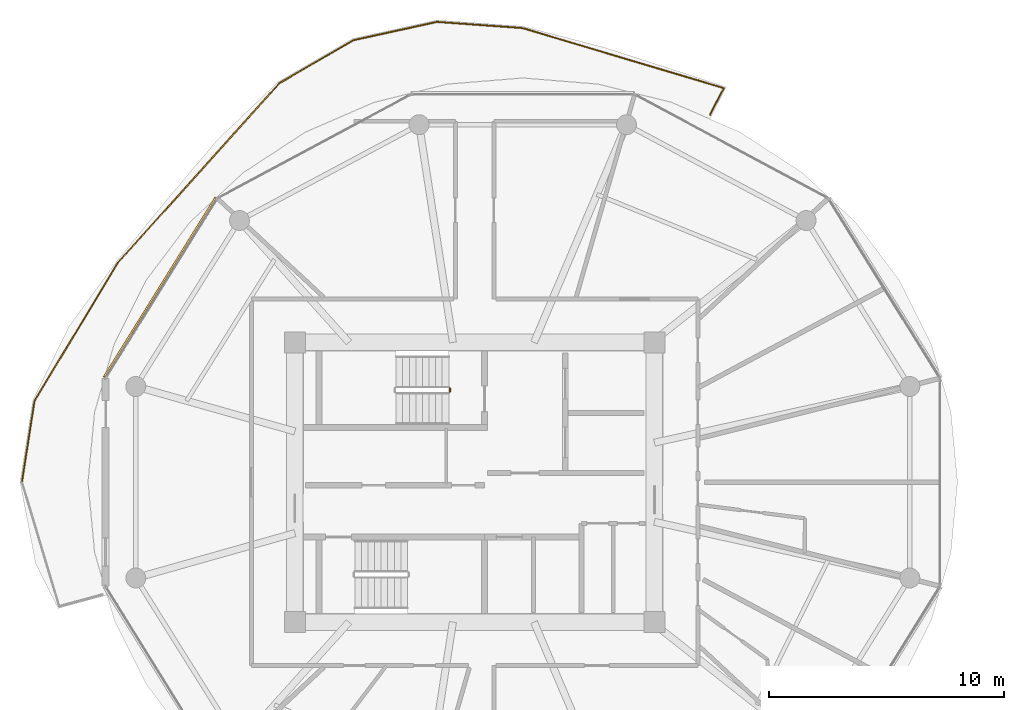
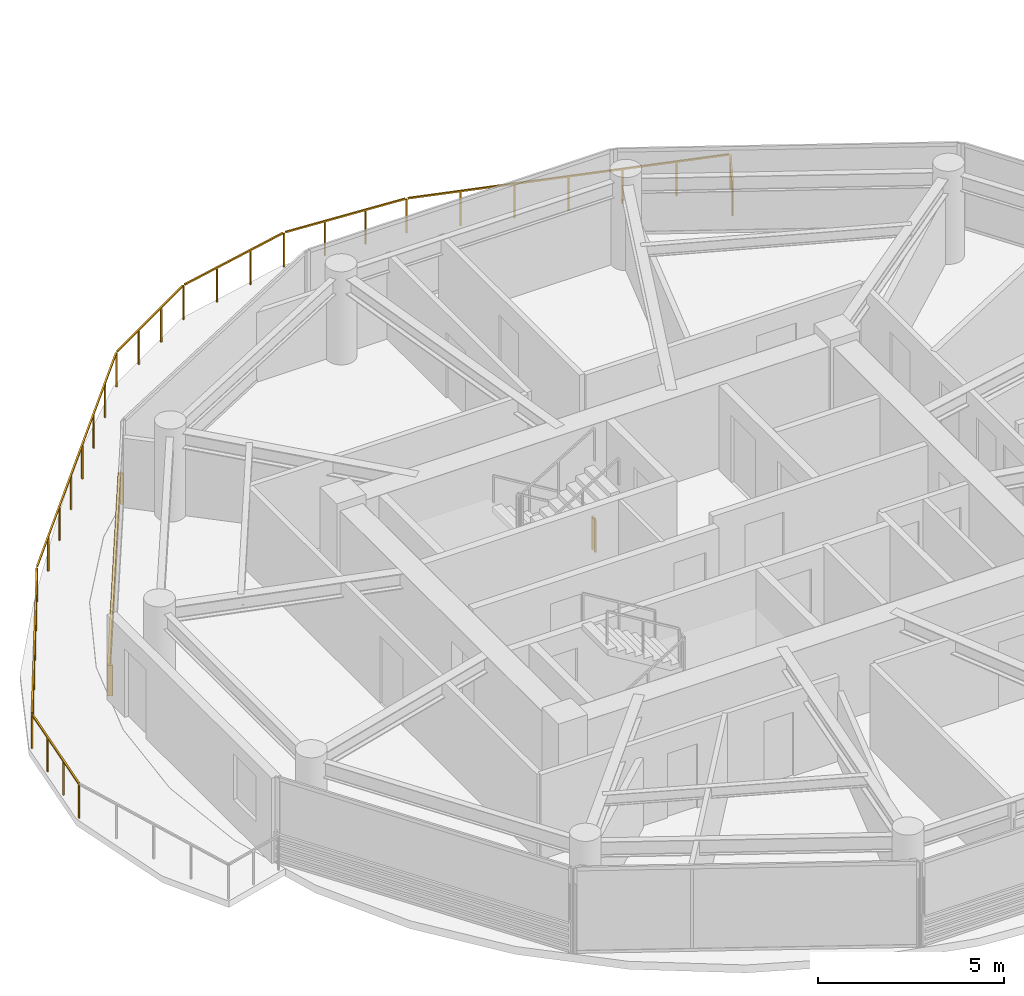
# One storey, part 20 of 22: 2 railings, 1 shading device.
"""IFC4 building model written with IfcOpenShell, lengths in metres."""

from ifc_helpers import new_model, si_unit, direction, frame, origin, origin_2d, place, context, subcontext, project, spatial, rectangle, extrude, source, transform, mapped, material, type_object, type_shapes, element, save


model = new_model("IFC4")

# Units and contexts
model_context = context("Model", 3, precision=1e-05, world=origin(), true_north=direction((0.0, 1.0)))
body_context = subcontext(model_context, "Body", "Model", "MODEL_VIEW")
ifc_project = project(units=[si_unit("LENGTHUNIT", "METRE"), si_unit("AREAUNIT", "SQUARE_METRE"), si_unit("VOLUMEUNIT", "CUBIC_METRE"), si_unit("PLANEANGLEUNIT", "RADIAN"), si_unit("MASSUNIT", "GRAM", prefix="KILO")], contexts=[model_context])

# Site, building, storey
site_placement = place(None, origin())
site = spatial("IfcSite", under=ifc_project, at=site_placement, CompositionType="ELEMENT")
building_placement = place(site_placement, origin())
building = spatial("IfcBuilding", under=site, at=building_placement, Name="Norrkilde Senior Care Towers", CompositionType="ELEMENT")
storey_placement = place(building_placement, frame((0.0, 0.0, 87.10009765625)))
storey = spatial("IfcBuildingStorey", under=building, at=storey_placement, Name="L26", CompositionType="ELEMENT", Elevation=87.10009765625)

# Railings
ifc_material_1 = material(Name="Anodised Aluminium", Category="aluminium")
railing_type_1 = type_object("IfcRailingType", Name="Balcony Swirl Ribbon Guardrail 1150", PredefinedType="GUARDRAIL", material=ifc_material_1)
railing_1_placement = place(storey_placement, frame((-47.2646484375, 0.00146484375, 0.0)))
element("IfcRailing", 1, at=railing_1_placement, inside=storey, type_object=railing_type_1, Name="L26 Perimeter Safety Guard 03", PredefinedType="GUARDRAIL", context=body_context, shape_type="SweptSolid", body=[
    extrude(rectangle(XDim=0.048095703125, YDim=0.048095703125, at=origin_2d()), frame((0.0, 0.0, 1.1259765625), z_axis=(0.153424174123, 0.988160423613, 0.0), x_axis=(-0.988160423613, 0.153424174123, 0.0)), (0.0, 0.0, 1.0), 3.46142578125),
    extrude(rectangle(XDim=0.048095703125, YDim=0.048095703125, at=origin_2d()), frame((0.558349609375, 3.495849609375, 1.1259765625), z_axis=(0.516559799172, 0.856251116133, 0.0), x_axis=(-0.856251116133, 0.516559799172, 0.0)), (0.0, 0.0, 1.0), 6.7841796875),
    extrude(rectangle(XDim=0.048095703125, YDim=0.048095703125, at=origin_2d()), frame((4.111328125, 9.3701171875, 1.1259765625), z_axis=(0.668916172038, 0.743337847002, 0.0), x_axis=(-0.743337847002, 0.668916172038, 0.0)), (0.0, 0.0, 1.0), 10.196044921875),
    extrude(rectangle(XDim=0.048095703125, YDim=0.048095703125, at=origin_2d()), frame((10.994384765625, 17.000244140625, 1.1259765625), z_axis=(0.864451446876, 0.502716317612, 0.0), x_axis=(-0.502716317612, 0.864451446876, 0.0)), (0.0, 0.0, 1.0), 3.5478515625),
    extrude(rectangle(XDim=0.048095703125, YDim=0.048095703125, at=origin_2d()), frame((14.13671875, 18.813232421875, 1.1259765625), z_axis=(0.976688256315, 0.214662642248, 0.0), x_axis=(-0.214662642248, 0.976688256315, 0.0)), (0.0, 0.0, 1.0), 3.566650390625),
    extrude(rectangle(XDim=0.048095703125, YDim=0.048095703125, at=origin_2d()), frame((17.700927734375, 19.584716796875, 1.1259765625), z_axis=(0.997412666736, -0.071888609906, 0.0), x_axis=(0.071888609906, 0.997412666736, 0.0)), (0.0, 0.0, 1.0), 3.569091796875),
    extrude(rectangle(XDim=0.048095703125, YDim=0.048095703125, at=origin_2d()), frame((21.340576171875, 19.3134765625, 1.1259765625), z_axis=(0.958251647076, -0.285926180815, 0.0), x_axis=(0.285926180815, 0.958251647076, 0.0)), (0.0, 0.0, 1.0), 8.85302734375),
    extrude(rectangle(XDim=0.048095703125, YDim=0.048095703125, at=origin_2d()), frame((29.844482421875, 16.734130859375, 1.1259765625), z_axis=(-0.457831836262, -0.88903881226, 0.0), x_axis=(0.88903881226, -0.457831836262, 0.0)), (0.0, 0.0, 1.0), 1.224609375),
    extrude(rectangle(XDim=0.0419921875, YDim=0.0419921875, at=origin_2d()), origin(), (0.0, 0.0, 1.0), 1.099853515625),
    extrude(rectangle(XDim=0.0419921875, YDim=0.0419921875, at=origin_2d()), frame((0.17919921875, 1.153564453125, 0.0)), (0.0, 0.0, 1.0), 1.099853515625),
    extrude(rectangle(XDim=0.0419921875, YDim=0.0419921875, at=origin_2d()), frame((0.358154296875, 2.307373046875, 0.0)), (0.0, 0.0, 1.0), 1.099853515625),
    extrude(rectangle(XDim=0.0419921875, YDim=0.0419921875, at=origin_2d()), frame((0.537353515625, 3.4609375, 0.0)), (0.0, 0.0, 1.0), 1.099853515625),
    extrude(rectangle(XDim=0.0419921875, YDim=0.0419921875, at=origin_2d()), frame((1.24658203125, 4.63671875, 0.0)), (0.0, 0.0, 1.0), 1.099853515625),
    extrude(rectangle(XDim=0.0419921875, YDim=0.0419921875, at=origin_2d()), frame((1.9560546875, 5.8125, 0.0)), (0.0, 0.0, 1.0), 1.099853515625),
    extrude(rectangle(XDim=0.0419921875, YDim=0.0419921875, at=origin_2d()), frame((2.665283203125, 6.98828125, 0.0)), (0.0, 0.0, 1.0), 1.099853515625),
    extrude(rectangle(XDim=0.0419921875, YDim=0.0419921875, at=origin_2d()), frame((3.374755859375, 8.1640625, 0.0)), (0.0, 0.0, 1.0), 1.099853515625),
    extrude(rectangle(XDim=0.0419921875, YDim=0.0419921875, at=origin_2d()), frame((4.083984375, 9.33984375, 0.0)), (0.0, 0.0, 1.0), 1.099853515625),
    extrude(rectangle(XDim=0.0419921875, YDim=0.0419921875, at=origin_2d()), frame((5.066162109375, 10.43115234375, 0.0)), (0.0, 0.0, 1.0), 1.099853515625),
    extrude(rectangle(XDim=0.0419921875, YDim=0.0419921875, at=origin_2d()), frame((6.04833984375, 11.522705078125, 0.0)), (0.0, 0.0, 1.0), 1.099853515625),
    extrude(rectangle(XDim=0.0419921875, YDim=0.0419921875, at=origin_2d()), frame((7.030517578125, 12.614013671875, 0.0)), (0.0, 0.0, 1.0), 1.099853515625),
    extrude(rectangle(XDim=0.0419921875, YDim=0.0419921875, at=origin_2d()), frame((8.012451171875, 13.70556640625, 0.0)), (0.0, 0.0, 1.0), 1.099853515625),
    extrude(rectangle(XDim=0.0419921875, YDim=0.0419921875, at=origin_2d()), frame((8.99462890625, 14.796875, 0.0)), (0.0, 0.0, 1.0), 1.099853515625),
    extrude(rectangle(XDim=0.0419921875, YDim=0.0419921875, at=origin_2d()), frame((9.976806640625, 15.888427734375, 0.0)), (0.0, 0.0, 1.0), 1.099853515625),
    extrude(rectangle(XDim=0.0419921875, YDim=0.0419921875, at=origin_2d()), frame((10.958984375, 16.979736328125, 0.0)), (0.0, 0.0, 1.0), 1.099853515625),
    extrude(rectangle(XDim=0.0419921875, YDim=0.0419921875, at=origin_2d()), frame((12.0048828125, 17.587890625, 0.0)), (0.0, 0.0, 1.0), 1.099853515625),
    extrude(rectangle(XDim=0.0419921875, YDim=0.0419921875, at=origin_2d()), frame((13.05078125, 18.1962890625, 0.0)), (0.0, 0.0, 1.0), 1.099853515625),
    extrude(rectangle(XDim=0.0419921875, YDim=0.0419921875, at=origin_2d()), frame((14.0966796875, 18.804443359375, 0.0)), (0.0, 0.0, 1.0), 1.099853515625),
    extrude(rectangle(XDim=0.0419921875, YDim=0.0419921875, at=origin_2d()), frame((15.284423828125, 19.0654296875, 0.0)), (0.0, 0.0, 1.0), 1.099853515625),
    extrude(rectangle(XDim=0.0419921875, YDim=0.0419921875, at=origin_2d()), frame((16.472412109375, 19.32666015625, 0.0)), (0.0, 0.0, 1.0), 1.099853515625),
    extrude(rectangle(XDim=0.0419921875, YDim=0.0419921875, at=origin_2d()), frame((17.66015625, 19.587646484375, 0.0)), (0.0, 0.0, 1.0), 1.099853515625),
    extrude(rectangle(XDim=0.0419921875, YDim=0.0419921875, at=origin_2d()), frame((18.8740234375, 19.500244140625, 0.0)), (0.0, 0.0, 1.0), 1.099853515625),
    extrude(rectangle(XDim=0.0419921875, YDim=0.0419921875, at=origin_2d()), frame((20.087646484375, 19.41259765625, 0.0)), (0.0, 0.0, 1.0), 1.099853515625),
    extrude(rectangle(XDim=0.0419921875, YDim=0.0419921875, at=origin_2d()), frame((21.301513671875, 19.3251953125, 0.0)), (0.0, 0.0, 1.0), 1.099853515625),
    extrude(rectangle(XDim=0.0419921875, YDim=0.0419921875, at=origin_2d()), frame((22.728515625, 18.8994140625, 0.0)), (0.0, 0.0, 1.0), 1.099853515625),
    extrude(rectangle(XDim=0.0419921875, YDim=0.0419921875, at=origin_2d()), frame((24.155517578125, 18.4736328125, 0.0)), (0.0, 0.0, 1.0), 1.099853515625),
    extrude(rectangle(XDim=0.0419921875, YDim=0.0419921875, at=origin_2d()), frame((25.58251953125, 18.0478515625, 0.0)), (0.0, 0.0, 1.0), 1.099853515625),
    extrude(rectangle(XDim=0.0419921875, YDim=0.0419921875, at=origin_2d()), frame((27.00927734375, 17.6220703125, 0.0)), (0.0, 0.0, 1.0), 1.099853515625),
    extrude(rectangle(XDim=0.0419921875, YDim=0.0419921875, at=origin_2d()), frame((28.436279296875, 17.1962890625, 0.0)), (0.0, 0.0, 1.0), 1.099853515625),
    extrude(rectangle(XDim=0.0419921875, YDim=0.0419921875, at=origin_2d()), frame((29.86328125, 16.7705078125, 0.0)), (0.0, 0.0, 1.0), 1.099853515625),
    extrude(rectangle(XDim=0.0419921875, YDim=0.0419921875, at=origin_2d()), frame((29.283935546875, 15.6455078125, 0.0)), (0.0, 0.0, 1.0), 1.099853515625),
])
ifc_material_2 = material(Name="Stainless Steel", Category="steel")
railing_type_2 = type_object("IfcRailingType", Name="Stair and Terrace Guardrail 1100", PredefinedType="GUARDRAIL", material=ifc_material_2)
railing_2_placement = place(storey_placement, frame((-29.050048828125, 4.0, 0.0)))
element("IfcRailing", 2, at=railing_2_placement, inside=storey, type_object=railing_type_2, Name="L26 ST-W1 stair guard 4", PredefinedType="GUARDRAIL", context=body_context, shape_type="SweptSolid", body=[
    extrude(rectangle(XDim=0.048095703125, YDim=0.048095703125, at=origin_2d()), frame((0.0, 0.0, 1.076171875), z_axis=(0.0, -1.0, 0.0), x_axis=(1.0, 0.0, 0.0)), (0.0, 0.0, 1.0), 0.14990234375),
    extrude(rectangle(XDim=0.0419921875, YDim=0.0419921875, at=origin_2d()), origin(), (0.0, 0.0, 1.0), 1.050048828125),
    extrude(rectangle(XDim=0.0419921875, YDim=0.0419921875, at=origin_2d()), frame((0.0, -0.14990234375, 0.0)), (0.0, 0.0, 1.0), 1.050048828125),
])

# Shading device
ifc_material_3 = material(Name="Architectural Terracotta", Category="masonry")
shading_device_type = type_object("IfcShadingDeviceType", Name="Horizontal Terracotta Baguette Rack", PredefinedType="USERDEFINED", material=ifc_material_3)
shared_shape = source(origin(), body_context, "Body", "SweptSolid", [
    extrude(rectangle(XDim=0.070068359375, YDim=0.110107421875, at=origin_2d()), frame((0.0, 0.090087890625, 0.125), z_axis=(1.0, 0.0, 0.0), x_axis=(0.0, 1.0, 0.0)), (0.0, 0.0, 1.0), 9.01416015625),
    extrude(rectangle(XDim=0.070068359375, YDim=0.110107421875, at=origin_2d()), frame((0.0, 0.090087890625, 0.375), z_axis=(1.0, 0.0, 0.0), x_axis=(0.0, 1.0, 0.0)), (0.0, 0.0, 1.0), 9.01416015625),
    extrude(rectangle(XDim=0.070068359375, YDim=0.110107421875, at=origin_2d()), frame((0.0, 0.090087890625, 0.625), z_axis=(1.0, 0.0, 0.0), x_axis=(0.0, 1.0, 0.0)), (0.0, 0.0, 1.0), 9.01416015625),
    extrude(rectangle(XDim=0.070068359375, YDim=0.110107421875, at=origin_2d()), frame((0.0, 0.090087890625, 0.875), z_axis=(1.0, 0.0, 0.0), x_axis=(0.0, 1.0, 0.0)), (0.0, 0.0, 1.0), 9.01416015625),
    extrude(rectangle(XDim=0.050048828125, YDim=0.1552734375, at=origin_2d()), frame((0.02490234375, 0.047607421875, 0.0)), (0.0, 0.0, 1.0), 1.0),
    extrude(rectangle(XDim=0.050048828125, YDim=0.1552734375, at=origin_2d()), frame((8.9892578125, 0.047607421875, 0.0)), (0.0, 0.0, 1.0), 1.0),
])
type_shapes(shading_device_type, [shared_shape])
shading_device_placement = place(storey_placement, frame((-43.70361328125, 4.420654296875, 0.079833984375), z_axis=(0.0, 0.0, 1.0), x_axis=(0.527734142246, 0.849412274525, 0.0)))
element("IfcShadingDevice", 3, at=shading_device_placement, inside=storey, type_object=shading_device_type, Name="L26 Drum W Terracotta Baguette Screen 04", ObjectType="BAGUETTE", PredefinedType="USERDEFINED", context=body_context, shape_type="MappedRepresentation", body=[
    mapped(shared_shape, transform((0.0, 0.0, 0.0), x_axis=(1.0, 0.0, 0.0), y_axis=(0.0, 1.0, 0.0), z_axis=(0.0, 0.0, 1.0), scale=1.0)),
])

save(model, "model.ifc")
